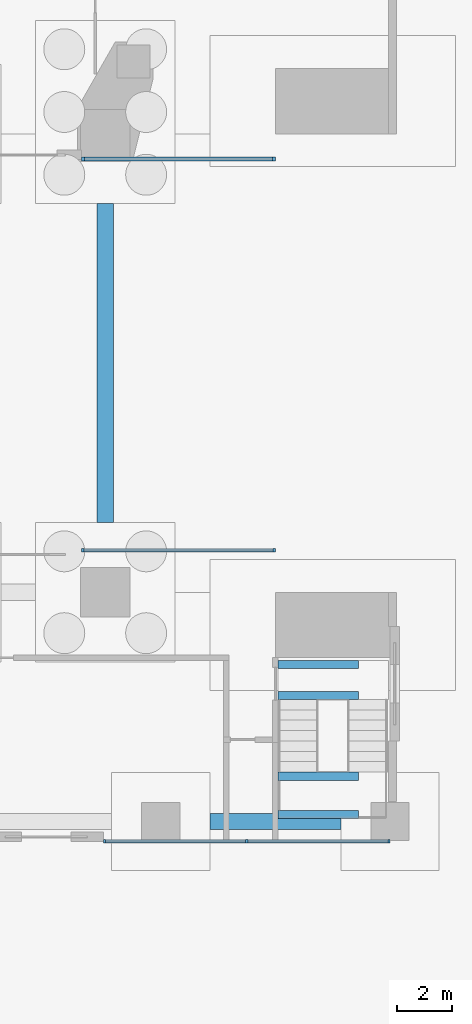
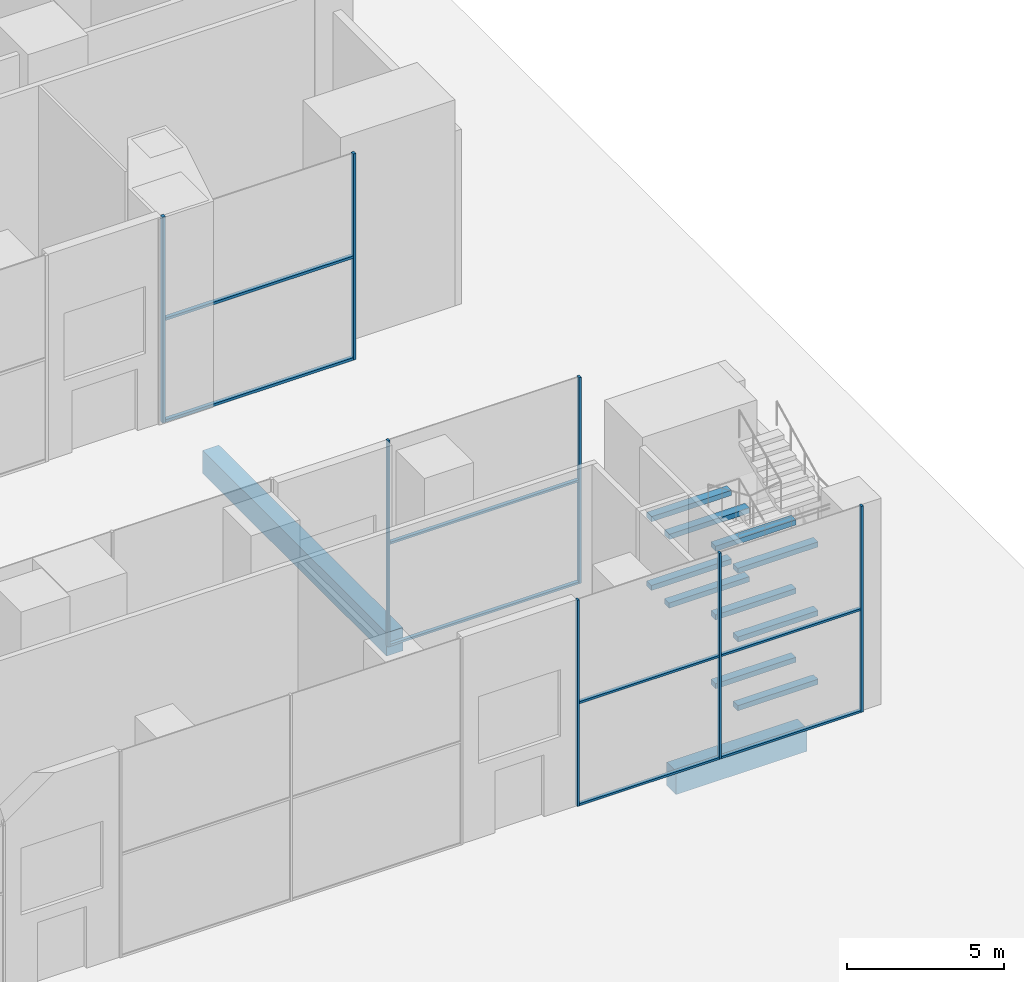
# One storey, part 9 of 31: 15 members, 12 beams, 3 elements without a shape of their own.
"""IFC4 building model written with IfcOpenShell, lengths in metres."""

from ifc_helpers import new_model, si_unit, direction, frame, origin, origin_2d, place, context, subcontext, project, spatial, rectangle, extrude, material, layer, layer_set, material_profile, profile_set, type_object, element, aggregate, save


model = new_model("IFC4")

# Units and contexts
model_context = context("Model", 3, precision=1e-05, world=origin(), true_north=direction((0.0, 1.0)))
body_context = subcontext(model_context, "Body", "Model", "MODEL_VIEW")
ifc_project = project(units=[si_unit("LENGTHUNIT", "METRE"), si_unit("AREAUNIT", "SQUARE_METRE"), si_unit("VOLUMEUNIT", "CUBIC_METRE"), si_unit("PLANEANGLEUNIT", "RADIAN"), si_unit("MASSUNIT", "GRAM", prefix="KILO")], contexts=[model_context])

# Site, building, storey
site_placement = place(None, origin())
site = spatial("IfcSite", under=ifc_project, at=site_placement, CompositionType="ELEMENT")
building_placement = place(site_placement, origin())
building = spatial("IfcBuilding", under=site, at=building_placement, Name="Marenta Gate Hotel Tower", CompositionType="ELEMENT")
storey_placement = place(building_placement, origin())
storey = spatial("IfcBuildingStorey", under=building, at=storey_placement, Name="L00", CompositionType="ELEMENT", Elevation=0.0)

# Beams
ifc_material_1 = material(Name="Concrete C40", Category="concrete")
ifc_material_profile_1 = material_profile(ifc_material_1, rectangle(XDim=0.60009765625, YDim=0.89990234375, at=origin_2d()), Name="600 x 900")
ifc_profile_set_1 = profile_set([ifc_material_profile_1], Name="Concrete C40")
beam_type_1 = type_object("IfcBeamType", Name="Ground beam 600 x 900 C40", PredefinedType="BEAM", material=ifc_profile_set_1)
beam_1_placement = place(storey_placement, frame((31.199951171875, -25.199951171875, -0.75), z_axis=(1.0, 0.0, 0.0), x_axis=(0.0, 1.0, 0.0)))
element("IfcBeam", 1, at=beam_1_placement, inside=storey, type_object=beam_type_1, Name="L00-GB-1", PredefinedType="BEAM", context=body_context, shape_type="SweptSolid", body=[
    extrude(rectangle(XDim=0.60009765625, YDim=0.89990234375, at=origin_2d()), origin(), (0.0, 0.0, 1.0), 4.800048828125),
])
beam_2_placement = place(storey_placement, frame((27.363037109375, -14.25, -0.75), z_axis=(0.0, 1.0, 0.0), x_axis=(-1.0, 0.0, 0.0)))
element("IfcBeam", 2, at=beam_2_placement, inside=storey, type_object=beam_type_1, Name="L00-GB-75", PredefinedType="BEAM", context=body_context, shape_type="SweptSolid", body=[
    extrude(rectangle(XDim=0.60009765625, YDim=0.89990234375, at=origin_2d()), origin(), (0.0, 0.0, 1.0), 11.699951171875),
])

# Curtain wall, members
ifc_material_2 = material(Name="Tinted insulated glass in bronze anodised frame", Category="glass")
ifc_layer_1 = layer(ifc_material_2, 0.1298828125)
ifc_layer_set_1 = layer_set([ifc_layer_1], Name="Tinted insulated glass in bronze anodised frame")
curtain_wall_type_1 = type_object("IfcCurtainWallType", Name="Podium shopfront glazing CW5", PredefinedType="NOTDEFINED", material=ifc_layer_set_1)
curtain_wall_1_placement = place(storey_placement, origin())
curtain_wall_1 = element("IfcCurtainWall", 3, at=curtain_wall_1_placement, inside=storey, type_object=curtain_wall_type_1, Name="CW5 run SB-S005", PredefinedType="NOTDEFINED")
ifc_material_3 = material(Name="Bronze anodised aluminium", Category="aluminium")
ifc_material_profile_2 = material_profile(ifc_material_3, rectangle(XDim=0.1298828125, YDim=0.080078125, at=origin_2d()), Name="Mullion CW5 80x130 bronze anodised aluminium")
ifc_profile_set_2 = profile_set([ifc_material_profile_2], Name="Bronze anodised aluminium")
member_type_1 = type_object("IfcMemberType", Name="Mullion CW5 80x130 bronze anodised aluminium", PredefinedType="MULLION", material=ifc_profile_set_2)
member_1_placement = place(storey_placement, frame((27.340087890625, -25.9189453125, 0.0), z_axis=(0.0, 0.0, 1.0), x_axis=(0.0, 1.0, 0.0)))
member_1 = element("IfcMember", 4, at=member_1_placement, type_object=member_type_1, Name="CW5 mullion 1", PredefinedType="MULLION", context=body_context, shape_type="SweptSolid", body=[
    extrude(rectangle(XDim=0.1298828125, YDim=0.080078125, at=origin_2d()), origin(), (0.0, 0.0, 1.0), 8.0),
])
member_2_placement = place(storey_placement, frame((32.550048828125, -25.9189453125, 0.0), z_axis=(0.0, 0.0, 1.0), x_axis=(0.0, 1.0, 0.0)))
member_2 = element("IfcMember", 5, at=member_2_placement, type_object=member_type_1, Name="CW5 mullion 2", PredefinedType="MULLION", context=body_context, shape_type="SweptSolid", body=[
    extrude(rectangle(XDim=0.1298828125, YDim=0.080078125, at=origin_2d()), origin(), (0.0, 0.0, 1.0), 8.0),
])
member_3_placement = place(storey_placement, frame((37.760009765625, -25.9189453125, 0.0), z_axis=(0.0, 0.0, 1.0), x_axis=(0.0, 1.0, 0.0)))
member_3 = element("IfcMember", 6, at=member_3_placement, type_object=member_type_1, Name="CW5 mullion 3", PredefinedType="MULLION", context=body_context, shape_type="SweptSolid", body=[
    extrude(rectangle(XDim=0.1298828125, YDim=0.080078125, at=origin_2d()), origin(), (0.0, 0.0, 1.0), 8.0),
])

curtain_wall_2_placement = place(storey_placement, origin())
curtain_wall_2 = element("IfcCurtainWall", 7, at=curtain_wall_2_placement, inside=storey, type_object=curtain_wall_type_1, Name="CW5 run SB-N000", PredefinedType="NOTDEFINED")
member_4_placement = place(storey_placement, frame((33.56005859375, -15.255859375, 0.0), z_axis=(0.0, 0.0, 1.0), x_axis=(0.0, -1.0, 0.0)))
member_4 = element("IfcMember", 8, at=member_4_placement, type_object=member_type_1, Name="CW5 mullion 1", PredefinedType="MULLION", context=body_context, shape_type="SweptSolid", body=[
    extrude(rectangle(XDim=0.1298828125, YDim=0.080078125, at=origin_2d()), origin(), (0.0, 0.0, 1.0), 8.0),
])
member_5_placement = place(storey_placement, frame((26.5400390625, -15.255859375, 0.0), z_axis=(0.0, 0.0, 1.0), x_axis=(0.0, -1.0, 0.0)))
member_5 = element("IfcMember", 9, at=member_5_placement, type_object=member_type_1, Name="CW5 mullion 2", PredefinedType="MULLION", context=body_context, shape_type="SweptSolid", body=[
    extrude(rectangle(XDim=0.1298828125, YDim=0.080078125, at=origin_2d()), origin(), (0.0, 0.0, 1.0), 8.0),
])

ifc_material_4 = material(Name="Tinted insulated glass in bronze anodised frame", Category="glass")
ifc_layer_2 = layer(ifc_material_4, 0.139892578125)
ifc_layer_set_2 = layer_set([ifc_layer_2], Name="Tinted insulated glass in bronze anodised frame")
curtain_wall_type_2 = type_object("IfcCurtainWallType", Name="Hotel lobby glazing CW6", PredefinedType="NOTDEFINED", material=ifc_layer_set_2)
curtain_wall_3_placement = place(storey_placement, origin())
curtain_wall_3 = element("IfcCurtainWall", 10, at=curtain_wall_3_placement, inside=storey, type_object=curtain_wall_type_2, Name="CW6 run NB-S101", PredefinedType="NOTDEFINED")
ifc_material_5 = material(Name="Bronze anodised aluminium", Category="aluminium")
ifc_material_profile_3 = material_profile(ifc_material_5, rectangle(XDim=0.139892578125, YDim=0.10009765625, at=origin_2d()), Name="Mullion CW6 100x140 bronze anodised aluminium")
ifc_profile_set_3 = profile_set([ifc_material_profile_3], Name="Bronze anodised aluminium")
member_type_2 = type_object("IfcMemberType", Name="Mullion CW6 100x140 bronze anodised aluminium", PredefinedType="MULLION", material=ifc_profile_set_3)
member_6_placement = place(storey_placement, frame((26.550048828125, -0.924072265625, 0.0), z_axis=(0.0, 0.0, 1.0), x_axis=(0.0, 1.0, 0.0)))
member_6 = element("IfcMember", 11, at=member_6_placement, type_object=member_type_2, Name="CW6 mullion 1", PredefinedType="MULLION", context=body_context, shape_type="SweptSolid", body=[
    extrude(rectangle(XDim=0.139892578125, YDim=0.10009765625, at=origin_2d()), origin(), (0.0, 0.0, 1.0), 8.0),
])
member_7_placement = place(storey_placement, frame((33.550048828125, -0.924072265625, 0.0), z_axis=(0.0, 0.0, 1.0), x_axis=(0.0, 1.0, 0.0)))
member_7 = element("IfcMember", 12, at=member_7_placement, type_object=member_type_2, Name="CW6 mullion 2", PredefinedType="MULLION", context=body_context, shape_type="SweptSolid", body=[
    extrude(rectangle(XDim=0.139892578125, YDim=0.10009765625, at=origin_2d()), origin(), (0.0, 0.0, 1.0), 8.0),
])

# Beams
ifc_material_6 = material(Name="Concrete C40", Category="concrete")
ifc_material_profile_4 = material_profile(ifc_material_6, rectangle(XDim=0.300048828125, YDim=0.199951171875, at=origin_2d()), Name="300 x 200")
ifc_profile_set_4 = profile_set([ifc_material_profile_4], Name="Concrete C40")
beam_type_2 = type_object("IfcBeamType", Name="Stair landing trimmer 300 x 200 C40", PredefinedType="BEAM", material=ifc_profile_set_4)
for number, where, z_axis, x_axis, name in (
    (13, (33.699951171875, -24.949951171875, 1.033203125), (1.0, 0.0, 0.0), (0.0, 1.0, 0.0), "L00-PX2-LT-1"),
    (14, (33.699951171875, -23.5400390625, 1.033203125), (1.0, 0.0, 0.0), (0.0, 1.0, 0.0), "L00-PX2-LT-2"),
    (15, (33.699951171875, -20.580078125, 2.36669921875), (1.0, 0.0, 0.0), (0.0, 1.0, 0.0), "L00-PX2-LT-3"),
    (16, (33.699951171875, -19.449951171875, 2.36669921875), (1.0, 0.0, 0.0), (0.0, 1.0, 0.0), "L00-PX2-LT-4"),
    (17, (33.699951171875, -24.949951171875, 3.699951171875), (1.0, 0.0, 0.0), (0.0, 1.0, 0.0), "L00-PX2-LT-5"),
    (18, (33.699951171875, -23.5400390625, 3.699951171875), (1.0, 0.0, 0.0), (0.0, 1.0, 0.0), "L00-PX2-LT-6"),
    (19, (33.699951171875, -20.580078125, 5.033203125), (1.0, 0.0, 0.0), (0.0, 1.0, 0.0), "L00-PX2-LT-7"),
    (20, (33.699951171875, -19.449951171875, 5.033203125), (1.0, 0.0, 0.0), (0.0, 1.0, 0.0), "L00-PX2-LT-8"),
    (21, (33.699951171875, -24.949951171875, 6.36669921875), (1.0, 0.0, 0.0), (0.0, 1.0, 0.0), "L00-PX2-LT-9"),
    (22, (33.699951171875, -23.5400390625, 6.36669921875), (1.0, 0.0, 0.0), (0.0, 1.0, 0.0), "L00-PX2-LT-10"),
):
    element("IfcBeam", number, at=place(storey_placement, frame(where, z_axis=z_axis, x_axis=x_axis)), inside=storey, type_object=beam_type_2, Name=name, PredefinedType="BEAM", context=body_context, shape_type="SweptSolid", body=[
        extrude(rectangle(XDim=0.300048828125, YDim=0.199951171875, at=origin_2d()), origin(), (0.0, 0.0, 1.0), 2.949951171875),
    ])

# Member
ifc_material_7 = material(Name="Bronze anodised aluminium", Category="aluminium")
ifc_material_profile_5 = material_profile(ifc_material_7, rectangle(XDim=0.1298828125, YDim=0.080078125, at=origin_2d()), Name="Transom CW5 80x130 bronze anodised aluminium")
ifc_profile_set_5 = profile_set([ifc_material_profile_5], Name="Bronze anodised aluminium")
member_type_3 = type_object("IfcMemberType", Name="Transom CW5 80x130 bronze anodised aluminium", PredefinedType="USERDEFINED", material=ifc_profile_set_5)
member_8_placement = place(storey_placement, frame((27.3798828125, -25.9189453125, 0.0400390625), z_axis=(1.0, 0.0, 0.0), x_axis=(0.0, 1.0, 0.0)))
member_8 = element("IfcMember", 23, at=member_8_placement, type_object=member_type_3, Name="CW5 transom 1.1", ObjectType="TRANSOM", PredefinedType="USERDEFINED", context=body_context, shape_type="SweptSolid", body=[
    extrude(rectangle(XDim=0.1298828125, YDim=0.080078125, at=origin_2d()), origin(), (0.0, 0.0, 1.0), 5.130126953125),
])

member_9_placement = place(storey_placement, frame((27.3798828125, -25.9189453125, 4.0), z_axis=(1.0, 0.0, 0.0), x_axis=(0.0, 1.0, 0.0)))
member_9 = element("IfcMember", 24, at=member_9_placement, type_object=member_type_3, Name="CW5 transom 1.2", ObjectType="TRANSOM", PredefinedType="USERDEFINED", context=body_context, shape_type="SweptSolid", body=[
    extrude(rectangle(XDim=0.1298828125, YDim=0.080078125, at=origin_2d()), origin(), (0.0, 0.0, 1.0), 5.130126953125),
])

member_10_placement = place(storey_placement, frame((32.590087890625, -25.9189453125, 0.0400390625), z_axis=(1.0, 0.0, 0.0), x_axis=(0.0, 1.0, 0.0)))
member_10 = element("IfcMember", 25, at=member_10_placement, type_object=member_type_3, Name="CW5 transom 2.1", ObjectType="TRANSOM", PredefinedType="USERDEFINED", context=body_context, shape_type="SweptSolid", body=[
    extrude(rectangle(XDim=0.1298828125, YDim=0.080078125, at=origin_2d()), origin(), (0.0, 0.0, 1.0), 5.1298828125),
])

member_11_placement = place(storey_placement, frame((32.590087890625, -25.9189453125, 4.0), z_axis=(1.0, 0.0, 0.0), x_axis=(0.0, 1.0, 0.0)))
member_11 = element("IfcMember", 26, at=member_11_placement, type_object=member_type_3, Name="CW5 transom 2.2", ObjectType="TRANSOM", PredefinedType="USERDEFINED", context=body_context, shape_type="SweptSolid", body=[
    extrude(rectangle(XDim=0.1298828125, YDim=0.080078125, at=origin_2d()), origin(), (0.0, 0.0, 1.0), 5.1298828125),
])

aggregate(curtain_wall_1, [member_1, member_2, member_3, member_8, member_9, member_10, member_11])

member_12_placement = place(storey_placement, frame((33.52001953125, -15.255859375, 0.0400390625), z_axis=(-1.0, 0.0, 0.0), x_axis=(0.0, -1.0, 0.0)))
member_12 = element("IfcMember", 27, at=member_12_placement, type_object=member_type_3, Name="CW5 transom 1.1", ObjectType="TRANSOM", PredefinedType="USERDEFINED", context=body_context, shape_type="SweptSolid", body=[
    extrude(rectangle(XDim=0.1298828125, YDim=0.080078125, at=origin_2d()), origin(), (0.0, 0.0, 1.0), 6.93994140625),
])

member_13_placement = place(storey_placement, frame((33.52001953125, -15.255859375, 4.0), z_axis=(-1.0, 0.0, 0.0), x_axis=(0.0, -1.0, 0.0)))
member_13 = element("IfcMember", 28, at=member_13_placement, type_object=member_type_3, Name="CW5 transom 1.2", ObjectType="TRANSOM", PredefinedType="USERDEFINED", context=body_context, shape_type="SweptSolid", body=[
    extrude(rectangle(XDim=0.1298828125, YDim=0.080078125, at=origin_2d()), origin(), (0.0, 0.0, 1.0), 6.93994140625),
])

aggregate(curtain_wall_2, [member_4, member_5, member_12, member_13])

ifc_material_8 = material(Name="Bronze anodised aluminium", Category="aluminium")
ifc_material_profile_6 = material_profile(ifc_material_8, rectangle(XDim=0.139892578125, YDim=0.10009765625, at=origin_2d()), Name="Transom CW6 100x140 bronze anodised aluminium")
ifc_profile_set_6 = profile_set([ifc_material_profile_6], Name="Bronze anodised aluminium")
member_type_4 = type_object("IfcMemberType", Name="Transom CW6 100x140 bronze anodised aluminium", PredefinedType="USERDEFINED", material=ifc_profile_set_6)
member_14_placement = place(storey_placement, frame((26.60009765625, -0.924072265625, 0.050048828125), z_axis=(1.0, 0.0, 0.0), x_axis=(0.0, 1.0, 0.0)))
member_14 = element("IfcMember", 29, at=member_14_placement, type_object=member_type_4, Name="CW6 transom 1.1", ObjectType="TRANSOM", PredefinedType="USERDEFINED", context=body_context, shape_type="SweptSolid", body=[
    extrude(rectangle(XDim=0.139892578125, YDim=0.10009765625, at=origin_2d()), origin(), (0.0, 0.0, 1.0), 6.89990234375),
])

member_15_placement = place(storey_placement, frame((26.60009765625, -0.924072265625, 4.0), z_axis=(1.0, 0.0, 0.0), x_axis=(0.0, 1.0, 0.0)))
member_15 = element("IfcMember", 30, at=member_15_placement, type_object=member_type_4, Name="CW6 transom 1.2", ObjectType="TRANSOM", PredefinedType="USERDEFINED", context=body_context, shape_type="SweptSolid", body=[
    extrude(rectangle(XDim=0.139892578125, YDim=0.10009765625, at=origin_2d()), origin(), (0.0, 0.0, 1.0), 6.89990234375),
])

aggregate(curtain_wall_3, [member_6, member_7, member_14, member_15])

save(model, "model.ifc")
